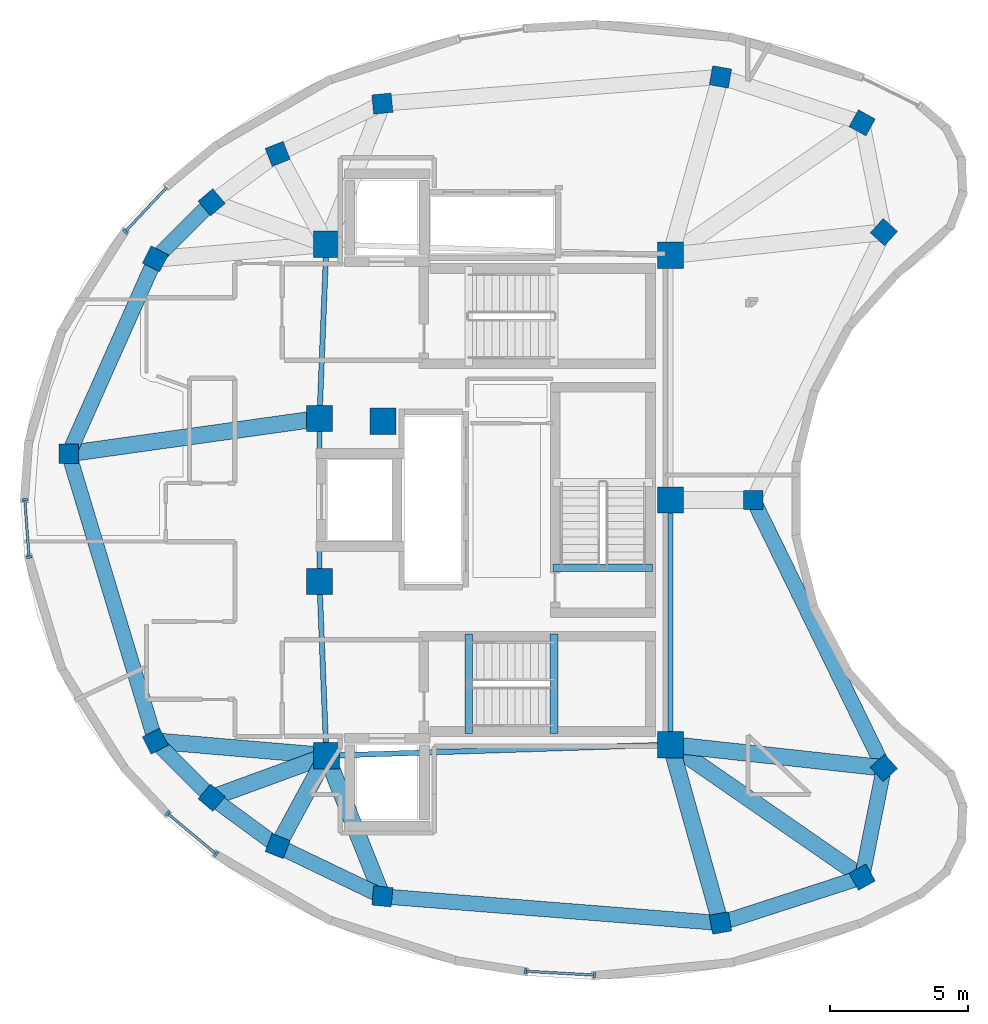
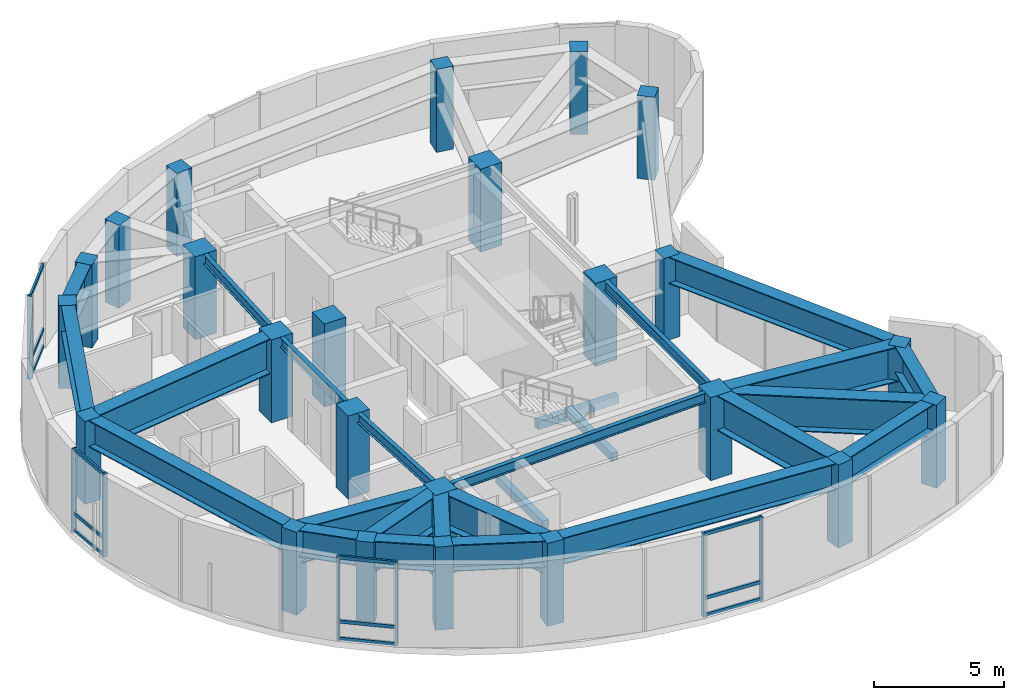
# One storey, part 1 of 6: 26 beams, 24 columns, 19 members, 4 elements without a shape of their own.
"""IFC4 building model written with IfcOpenShell, lengths in metres."""

from ifc_helpers import new_model, si_unit, direction, frame, origin, origin_2d, place, context, subcontext, project, spatial, rectangle, i_section, extrude, material, layer, layer_set, material_profile, profile_set, type_object, element, aggregate, save


model = new_model("IFC4")

# Units and contexts
model_context = context("Model", 3, precision=1e-05, world=origin(), true_north=direction((0.0, 1.0)))
body_context = subcontext(model_context, "Body", "Model", "MODEL_VIEW")
ifc_project = project(units=[si_unit("LENGTHUNIT", "METRE"), si_unit("AREAUNIT", "SQUARE_METRE"), si_unit("VOLUMEUNIT", "CUBIC_METRE"), si_unit("PLANEANGLEUNIT", "RADIAN"), si_unit("MASSUNIT", "GRAM", prefix="KILO")], contexts=[model_context])

# Site, building, storey
site_placement = place(None, origin())
site = spatial("IfcSite", under=ifc_project, at=site_placement, CompositionType="ELEMENT")
building_placement = place(site_placement, origin())
building = spatial("IfcBuilding", under=site, at=building_placement, Name="Korentha Bioscience Tower", CompositionType="ELEMENT")
storey_placement = place(building_placement, frame((0.0, 0.0, 327.0)))
storey = spatial("IfcBuildingStorey", under=building, at=storey_placement, Name="L75", CompositionType="ELEMENT", Elevation=327.0)

# Columns
ifc_material_1 = material(Name="Concrete C65", Category="concrete")
ifc_material_profile_1 = material_profile(ifc_material_1, rectangle(XDim=0.949951171875, YDim=0.949951171875, at=origin_2d()), Name="Concrete C65")
ifc_profile_set_1 = profile_set([ifc_material_profile_1], Name="Concrete C65 (COL-CP09)")
column_type_1 = type_object("IfcColumnType", Name="Core Pilaster Column RC 950x950", PredefinedType="PILASTER", material=ifc_profile_set_1)
for number, where, z_axis, x_axis, name in (
    (1, (37.550048828125, 35.85009765625, -0.00048828125), (0.0, 0.0, 1.0), (1.0, 0.0, 0.0), "L75 Core Pilaster CP-01"),
    (2, (25.10009765625, 36.25, -0.00048828125), (0.0, 0.0, 1.0), (1.0, 0.0, 0.0), "L75 Core Pilaster CP-02"),
    (3, (24.85009765625, 29.949951171875, -0.00048828125), (0.0, 0.0, 1.0), (1.0, 0.0, 0.0), "L75 Core Pilaster CP-03"),
    (4, (27.14990234375, 29.85009765625, -0.00048828125), (0.0, 0.0, 1.0), (1.0, 0.0, 0.0), "L75 Core Pilaster CP-04"),
    (5, (24.85009765625, 24.050048828125, -0.00048828125), (0.0, 0.0, 1.0), (1.0, 0.0, 0.0), "L75 Core Pilaster CP-05"),
    (6, (25.10009765625, 17.75, -0.00048828125), (0.0, 0.0, 1.0), (1.0, 0.0, 0.0), "L75 Core Pilaster CP-06"),
    (7, (37.550048828125, 18.14990234375, -0.00048828125), (0.0, 0.0, 1.0), (1.0, 0.0, 0.0), "L75 Core Pilaster CP-07"),
    (8, (37.550048828125, 27.0, -0.00048828125), (0.0, 0.0, 1.0), (1.0, 0.0, 0.0), "L75 Core Pilaster CP-08"),
):
    element("IfcColumn", number, at=place(storey_placement, frame(where, z_axis=z_axis, x_axis=x_axis)), inside=storey, type_object=column_type_1, Name=name, PredefinedType="PILASTER", context=body_context, shape_type="SweptSolid", body=[
        extrude(rectangle(XDim=0.949951171875, YDim=0.949951171875, at=origin_2d()), origin(), (0.0, 0.0, 1.0), 3.90087890625),
    ])
ifc_material_2 = material(Name="Concrete C50", Category="concrete")
ifc_material_profile_2 = material_profile(ifc_material_2, rectangle(XDim=0.699951171875, YDim=0.699951171875, at=origin_2d()), Name="Concrete C50")
ifc_profile_set_2 = profile_set([ifc_material_profile_2], Name="Concrete C50 (COL-P07)")
column_type_2 = type_object("IfcColumnType", Name="Perimeter Column RC 700x700", PredefinedType="COLUMN", material=ifc_profile_set_2)
for number, where, z_axis, x_axis, name in (
    (9, (44.480712890625, 40.642578125, -0.00048828125), (0.0, 0.0, 1.0), (-0.874535078577, 0.484962262797, 0.0), "L75 Perimeter Column 01"),
    (10, (39.355712890625, 42.30322265625, -0.00048828125), (0.0, 0.0, 1.0), (-0.984868307662, 0.173304404339, 0.0), "L75 Perimeter Column 02"),
    (11, (27.125732421875, 41.337646484375, -0.00048828125), (0.0, 0.0, 1.0), (0.995462868748, 0.095150811579, 0.0), "L75 Perimeter Column 03"),
    (12, (23.33740234375, 39.51953125, -0.00048828125), (0.0, 0.0, 1.0), (0.930225540858, 0.366988341962, 0.0), "L75 Perimeter Column 04"),
    (13, (20.94970703125, 37.7685546875, -0.00048828125), (0.0, 0.0, 1.0), (0.764246456939, 0.644924300253, 0.0), "L75 Perimeter Column 05"),
    (14, (18.913818359375, 35.72265625, -0.00048828125), (0.0, 0.0, 1.0), (0.453057191132, 0.891481453292, 0.0), "L75 Perimeter Column 06"),
    (15, (15.779296875, 28.677490234375, -0.00048828125), (0.0, 0.0, 1.0), (0.0, 1.0, 0.0), "L75 Perimeter Column 07"),
    (16, (18.913818359375, 18.27734375, -0.00048828125), (0.0, 0.0, 1.0), (-0.453057191132, 0.891481453292, 0.0), "L75 Perimeter Column 08"),
    (17, (20.94970703125, 16.2314453125, -0.00048828125), (0.0, 0.0, 1.0), (-0.764246456939, 0.644924300253, 0.0), "L75 Perimeter Column 09"),
    (18, (23.33740234375, 14.48046875, -0.00048828125), (0.0, 0.0, 1.0), (-0.930225540858, 0.366988341962, 0.0), "L75 Perimeter Column 10"),
    (19, (27.125732421875, 12.662353515625, -0.00048828125), (0.0, 0.0, 1.0), (-0.995462868748, 0.095150811579, 0.0), "L75 Perimeter Column 11"),
    (20, (39.355712890625, 11.69677734375, -0.00048828125), (0.0, 0.0, 1.0), (0.984868307662, 0.173304404339, 0.0), "L75 Perimeter Column 12"),
    (21, (44.480712890625, 13.357421875, -0.00048828125), (0.0, 0.0, 1.0), (0.874535078577, 0.484962262797, 0.0), "L75 Perimeter Column 13"),
    (22, (45.265625, 17.309326171875, -0.00048828125), (0.0, 0.0, 1.0), (-0.669130606359, 0.743144825477, 0.0), "L75 Perimeter Column 14"),
    (23, (40.5419921875, 27.0, -0.00048828125), (0.0, 0.0, 1.0), (0.0, 1.0, 0.0), "L75 Perimeter Column 15"),
    (24, (45.265625, 36.690673828125, -0.00048828125), (0.0, 0.0, 1.0), (0.669130606359, 0.743144825477, 0.0), "L75 Perimeter Column 16"),
):
    element("IfcColumn", number, at=place(storey_placement, frame(where, z_axis=z_axis, x_axis=x_axis)), inside=storey, type_object=column_type_2, Name=name, PredefinedType="COLUMN", context=body_context, shape_type="SweptSolid", body=[
        extrude(rectangle(XDim=0.699951171875, YDim=0.699951171875, at=origin_2d()), origin(), (0.0, 0.0, 1.0), 3.90087890625),
    ])

# Beams
ifc_material_profile_3 = material_profile(ifc_material_2, rectangle(XDim=0.280029296875, YDim=0.3798828125, at=origin_2d()), Name="Concrete C50")
ifc_profile_set_3 = profile_set([ifc_material_profile_3], Name="Concrete C50 (ST-HB380)")
beam_type_1 = type_object("IfcBeamType", Name="Concrete Stair Header Beam RC 280x380", PredefinedType="BEAM", material=ifc_profile_set_3)
for number, where, z_axis, x_axis, name in (
    (25, (30.25, 18.550048828125, -0.18994140625), (0.0, 1.0, 0.0), (-1.0, 0.0, 0.0), "L75 ST-2 Concrete Stair Header Beam"),
    (26, (33.330078125, 18.550048828125, 1.909912109375), (0.0, 1.0, 0.0), (-1.0, 0.0, 0.0), "L75 ST-2 Half-Landing Header Beam 1"),
    (27, (36.89990234375, 24.550048828125, -0.18994140625), (-1.0, 0.0, 0.0), (0.0, -1.0, 0.0), "L75 ST-3 Concrete Stair Header Beam"),
):
    element("IfcBeam", number, at=place(storey_placement, frame(where, z_axis=z_axis, x_axis=x_axis)), inside=storey, type_object=beam_type_1, Name=name, PredefinedType="BEAM", context=body_context, shape_type="SweptSolid", body=[
        extrude(rectangle(XDim=0.280029296875, YDim=0.3798828125, at=origin_2d()), origin(), (0.0, 0.0, 1.0), 3.599853515625),
    ])
ifc_material_3 = material(Name="Steel S355", Category="steel")
ifc_material_profile_4 = material_profile(ifc_material_3, i_section(OverallWidth=0.550048828125, OverallDepth=1.25, WebThickness=0.02392578125, FlangeThickness=0.0400390625, at=origin_2d()), Name="Steel S355")
ifc_profile_set_4 = profile_set([ifc_material_profile_4], Name="Steel S355 (TG-03)")
beam_type_2 = type_object("IfcBeamType", Name="Crown Step Transfer Girder CVS 1250x510", PredefinedType="USERDEFINED", material=ifc_profile_set_4)
beam_1_placement = place(storey_placement, frame((20.94970703125, 37.7685546875, 3.27490234375), z_axis=(-0.705370622417, -0.708838687595, 0.0), x_axis=(0.708838687595, -0.705370622417, 0.0)))
element("IfcBeam", 28, at=beam_1_placement, inside=storey, type_object=beam_type_2, Name="L75 Perimeter Spandrel Girder 05", ObjectType="TRANSFER_GIRDER", PredefinedType="USERDEFINED", context=body_context, shape_type="SweptSolid", body=[
    extrude(i_section(OverallWidth=0.550048828125, OverallDepth=1.25, WebThickness=0.02392578125, FlangeThickness=0.0400390625, at=origin_2d()), origin(), (0.0, 0.0, 1.0), 2.88623046875),
])
beam_2_placement = place(storey_placement, frame((18.913818359375, 35.72265625, 3.27490234375), z_axis=(-0.406499765107, -0.913650885715, 0.0), x_axis=(0.913650885715, -0.406499765107, 0.0)))
element("IfcBeam", 29, at=beam_2_placement, inside=storey, type_object=beam_type_2, Name="L75 Perimeter Spandrel Girder 06", ObjectType="TRANSFER_GIRDER", PredefinedType="USERDEFINED", context=body_context, shape_type="SweptSolid", body=[
    extrude(i_section(OverallWidth=0.550048828125, OverallDepth=1.25, WebThickness=0.02392578125, FlangeThickness=0.0400390625, at=origin_2d()), origin(), (0.0, 0.0, 1.0), 7.7109375),
])
beam_3_placement = place(storey_placement, frame((15.779296875, 28.677490234375, 3.27490234375), z_axis=(0.288570432822, -0.957458670284, 0.0), x_axis=(0.957458670284, 0.288570432822, 0.0)))
element("IfcBeam", 30, at=beam_3_placement, inside=storey, type_object=beam_type_2, Name="L75 Perimeter Spandrel Girder 07", ObjectType="TRANSFER_GIRDER", PredefinedType="USERDEFINED", context=body_context, shape_type="SweptSolid", body=[
    extrude(i_section(OverallWidth=0.550048828125, OverallDepth=1.25, WebThickness=0.02392578125, FlangeThickness=0.0400390625, at=origin_2d()), origin(), (0.0, 0.0, 1.0), 10.8623046875),
])
beam_4_placement = place(storey_placement, frame((18.913818359375, 18.27734375, 3.27490234375), z_axis=(0.705370622417, -0.708838687595, 0.0), x_axis=(0.708838687595, 0.705370622417, 0.0)))
element("IfcBeam", 31, at=beam_4_placement, inside=storey, type_object=beam_type_2, Name="L75 Perimeter Spandrel Girder 08", ObjectType="TRANSFER_GIRDER", PredefinedType="USERDEFINED", context=body_context, shape_type="SweptSolid", body=[
    extrude(i_section(OverallWidth=0.550048828125, OverallDepth=1.25, WebThickness=0.02392578125, FlangeThickness=0.0400390625, at=origin_2d()), origin(), (0.0, 0.0, 1.0), 2.88623046875),
])
beam_5_placement = place(storey_placement, frame((20.94970703125, 16.2314453125, 3.27490234375), z_axis=(0.806404995856, -0.591363663628, 0.0), x_axis=(0.591363663628, 0.806404995856, 0.0)))
element("IfcBeam", 32, at=beam_5_placement, inside=storey, type_object=beam_type_2, Name="L75 Perimeter Spandrel Girder 09", ObjectType="TRANSFER_GIRDER", PredefinedType="USERDEFINED", context=body_context, shape_type="SweptSolid", body=[
    extrude(i_section(OverallWidth=0.550048828125, OverallDepth=1.25, WebThickness=0.02392578125, FlangeThickness=0.0400390625, at=origin_2d()), origin(), (0.0, 0.0, 1.0), 2.9609375),
])
beam_6_placement = place(storey_placement, frame((23.33740234375, 14.48046875, 3.27490234375), z_axis=(0.901549348472, -0.432676290396, 0.0), x_axis=(0.432676290396, 0.901549348472, 0.0)))
element("IfcBeam", 33, at=beam_6_placement, inside=storey, type_object=beam_type_2, Name="L75 Perimeter Spandrel Girder 10", ObjectType="TRANSFER_GIRDER", PredefinedType="USERDEFINED", context=body_context, shape_type="SweptSolid", body=[
    extrude(i_section(OverallWidth=0.550048828125, OverallDepth=1.25, WebThickness=0.02392578125, FlangeThickness=0.0400390625, at=origin_2d()), origin(), (0.0, 0.0, 1.0), 4.201904296875),
])
beam_7_placement = place(storey_placement, frame((27.125732421875, 12.662353515625, 3.27490234375), z_axis=(0.996897819937, -0.078706649057, 0.0), x_axis=(0.078706649057, 0.996897819937, 0.0)))
element("IfcBeam", 34, at=beam_7_placement, inside=storey, type_object=beam_type_2, Name="L75 Perimeter Spandrel Girder 11", ObjectType="TRANSFER_GIRDER", PredefinedType="USERDEFINED", context=body_context, shape_type="SweptSolid", body=[
    extrude(i_section(OverallWidth=0.550048828125, OverallDepth=1.25, WebThickness=0.02392578125, FlangeThickness=0.0400390625, at=origin_2d()), origin(), (0.0, 0.0, 1.0), 12.26806640625),
])
beam_8_placement = place(storey_placement, frame((39.355712890625, 11.69677734375, 3.27490234375), z_axis=(0.951305452587, 0.308249794612, 0.0), x_axis=(-0.308249794612, 0.951305452587, 0.0)))
element("IfcBeam", 35, at=beam_8_placement, inside=storey, type_object=beam_type_2, Name="L75 Perimeter Spandrel Girder 12", ObjectType="TRANSFER_GIRDER", PredefinedType="USERDEFINED", context=body_context, shape_type="SweptSolid", body=[
    extrude(i_section(OverallWidth=0.550048828125, OverallDepth=1.25, WebThickness=0.02392578125, FlangeThickness=0.0400390625, at=origin_2d()), origin(), (0.0, 0.0, 1.0), 5.387451171875),
])
beam_9_placement = place(storey_placement, frame((44.480712890625, 13.357421875, 3.27490234375), z_axis=(0.194810852243, 0.980840829008, 0.0), x_axis=(-0.980840829008, 0.194810852243, 0.0)))
element("IfcBeam", 36, at=beam_9_placement, inside=storey, type_object=beam_type_2, Name="L75 Perimeter Spandrel Girder 13", ObjectType="TRANSFER_GIRDER", PredefinedType="USERDEFINED", context=body_context, shape_type="SweptSolid", body=[
    extrude(i_section(OverallWidth=0.550048828125, OverallDepth=1.25, WebThickness=0.02392578125, FlangeThickness=0.0400390625, at=origin_2d()), origin(), (0.0, 0.0, 1.0), 4.029052734375),
])
beam_10_placement = place(storey_placement, frame((45.265625, 17.309326171875, 3.27490234375), z_axis=(-0.438159475862, 0.898897254258, 0.0), x_axis=(-0.898897254258, -0.438159475862, 0.0)))
element("IfcBeam", 37, at=beam_10_placement, inside=storey, type_object=beam_type_2, Name="L75 Perimeter Spandrel Girder 14", ObjectType="TRANSFER_GIRDER", PredefinedType="USERDEFINED", context=body_context, shape_type="SweptSolid", body=[
    extrude(i_section(OverallWidth=0.550048828125, OverallDepth=1.25, WebThickness=0.02392578125, FlangeThickness=0.0400390625, at=origin_2d()), origin(), (0.0, 0.0, 1.0), 10.780517578125),
])
ifc_material_profile_5 = material_profile(ifc_material_3, i_section(OverallWidth=0.60009765625, OverallDepth=1.64990234375, WebThickness=0.02587890625, FlangeThickness=0.0439453125, at=origin_2d()), Name="Steel S355")
ifc_profile_set_5 = profile_set([ifc_material_profile_5], Name="Steel S355 (TG-04)")
beam_type_3 = type_object("IfcBeamType", Name="Deep Setback Transfer Girder CVS 1650x620", PredefinedType="USERDEFINED", material=ifc_profile_set_5)
beam_11_placement = place(storey_placement, frame((24.85009765625, 29.949951171875, 3.074951171875), z_axis=(-0.990303500441, -0.138920758042, 0.0), x_axis=(0.138920758042, -0.990303500441, 0.0)))
element("IfcBeam", 38, at=beam_11_placement, inside=storey, type_object=beam_type_3, Name="L75 Radial Transfer Girder 07", ObjectType="TRANSFER_GIRDER", PredefinedType="USERDEFINED", context=body_context, shape_type="SweptSolid", body=[
    extrude(i_section(OverallWidth=0.60009765625, OverallDepth=1.64990234375, WebThickness=0.02587890625, FlangeThickness=0.0439453125, at=origin_2d()), origin(), (0.0, 0.0, 1.0), 9.15966796875),
])
beam_12_placement = place(storey_placement, frame((25.10009765625, 17.75, 3.074951171875), z_axis=(-0.996386404459, 0.084936052474, 0.0), x_axis=(-0.084936052474, -0.996386404459, 0.0)))
element("IfcBeam", 39, at=beam_12_placement, inside=storey, type_object=beam_type_3, Name="L75 Radial Transfer Girder 08", ObjectType="TRANSFER_GIRDER", PredefinedType="USERDEFINED", context=body_context, shape_type="SweptSolid", body=[
    extrude(i_section(OverallWidth=0.60009765625, OverallDepth=1.64990234375, WebThickness=0.02587890625, FlangeThickness=0.0439453125, at=origin_2d()), origin(), (0.0, 0.0, 1.0), 6.208740234375),
])
beam_13_placement = place(storey_placement, frame((25.10009765625, 17.75, 3.074951171875), z_axis=(-0.939114156855, -0.34360529739, 0.0), x_axis=(0.34360529739, -0.939114156855, 0.0)))
element("IfcBeam", 40, at=beam_13_placement, inside=storey, type_object=beam_type_3, Name="L75 Radial Transfer Girder 09", ObjectType="TRANSFER_GIRDER", PredefinedType="USERDEFINED", context=body_context, shape_type="SweptSolid", body=[
    extrude(i_section(OverallWidth=0.60009765625, OverallDepth=1.64990234375, WebThickness=0.02587890625, FlangeThickness=0.0439453125, at=origin_2d()), origin(), (0.0, 0.0, 1.0), 4.41943359375),
])
beam_14_placement = place(storey_placement, frame((25.10009765625, 17.75, 3.074951171875), z_axis=(-0.474554427081, -0.880226161698, 0.0), x_axis=(0.880226161698, -0.474554427081, 0.0)))
element("IfcBeam", 41, at=beam_14_placement, inside=storey, type_object=beam_type_3, Name="L75 Radial Transfer Girder 10", ObjectType="TRANSFER_GIRDER", PredefinedType="USERDEFINED", context=body_context, shape_type="SweptSolid", body=[
    extrude(i_section(OverallWidth=0.60009765625, OverallDepth=1.64990234375, WebThickness=0.02587890625, FlangeThickness=0.0439453125, at=origin_2d()), origin(), (0.0, 0.0, 1.0), 3.71435546875),
])
beam_15_placement = place(storey_placement, frame((25.10009765625, 17.75, 3.074951171875), z_axis=(0.369906658461, -0.929068923184, 0.0), x_axis=(0.929068923184, 0.369906658461, 0.0)))
element("IfcBeam", 42, at=beam_15_placement, inside=storey, type_object=beam_type_3, Name="L75 Radial Transfer Girder 11", ObjectType="TRANSFER_GIRDER", PredefinedType="USERDEFINED", context=body_context, shape_type="SweptSolid", body=[
    extrude(i_section(OverallWidth=0.60009765625, OverallDepth=1.64990234375, WebThickness=0.02587890625, FlangeThickness=0.0439453125, at=origin_2d()), origin(), (0.0, 0.0, 1.0), 5.47607421875),
])
beam_16_placement = place(storey_placement, frame((37.550048828125, 18.14990234375, 3.074951171875), z_axis=(0.269462348846, -0.96301092546, 0.0), x_axis=(0.96301092546, 0.269462348846, 0.0)))
element("IfcBeam", 43, at=beam_16_placement, inside=storey, type_object=beam_type_3, Name="L75 Radial Transfer Girder 12", ObjectType="TRANSFER_GIRDER", PredefinedType="USERDEFINED", context=body_context, shape_type="SweptSolid", body=[
    extrude(i_section(OverallWidth=0.60009765625, OverallDepth=1.64990234375, WebThickness=0.02587890625, FlangeThickness=0.0439453125, at=origin_2d()), origin(), (0.0, 0.0, 1.0), 6.700927734375),
])
beam_17_placement = place(storey_placement, frame((37.550048828125, 18.14990234375, 3.074951171875), z_axis=(0.82250706845, -0.568754887758, 0.0), x_axis=(0.568754887758, 0.82250706845, 0.0)))
element("IfcBeam", 44, at=beam_17_placement, inside=storey, type_object=beam_type_3, Name="L75 Radial Transfer Girder 13", ObjectType="TRANSFER_GIRDER", PredefinedType="USERDEFINED", context=body_context, shape_type="SweptSolid", body=[
    extrude(i_section(OverallWidth=0.60009765625, OverallDepth=1.64990234375, WebThickness=0.02587890625, FlangeThickness=0.0439453125, at=origin_2d()), origin(), (0.0, 0.0, 1.0), 8.42626953125),
])
beam_18_placement = place(storey_placement, frame((37.550048828125, 18.14990234375, 3.074951171875), z_axis=(0.994117766085, -0.108304511237, 0.0), x_axis=(0.108304511237, 0.994117766085, 0.0)))
element("IfcBeam", 45, at=beam_18_placement, inside=storey, type_object=beam_type_3, Name="L75 Radial Transfer Girder 14", ObjectType="TRANSFER_GIRDER", PredefinedType="USERDEFINED", context=body_context, shape_type="SweptSolid", body=[
    extrude(i_section(OverallWidth=0.60009765625, OverallDepth=1.64990234375, WebThickness=0.02587890625, FlangeThickness=0.0439453125, at=origin_2d()), origin(), (0.0, 0.0, 1.0), 7.76123046875),
])
ifc_material_profile_6 = material_profile(ifc_material_3, i_section(OverallWidth=0.18994140625, OverallDepth=0.45703125, WebThickness=0.009033203125, FlangeThickness=0.014404296875, at=origin_2d()), Name="Steel S355")
ifc_profile_set_6 = profile_set([ifc_material_profile_6], Name="Steel S355 (MB-460)")
beam_type_4 = type_object("IfcBeamType", Name="Mid-Ring Tie Girder W460x74", PredefinedType="BEAM", material=ifc_profile_set_6)
beam_19_placement = place(storey_placement, frame((25.10009765625, 36.25, 3.67138671875), z_axis=(-0.039651025576, -0.999213588864, 0.0), x_axis=(0.999213588864, -0.039651025576, 0.0)))
element("IfcBeam", 46, at=beam_19_placement, inside=storey, type_object=beam_type_4, Name="L75 Core Ring Tie Girder 02", PredefinedType="BEAM", context=body_context, shape_type="SweptSolid", body=[
    extrude(i_section(OverallWidth=0.18994140625, OverallDepth=0.45703125, WebThickness=0.009033203125, FlangeThickness=0.014404296875, at=origin_2d()), origin(), (0.0, 0.0, 1.0), 6.304931640625),
])
beam_20_placement = place(storey_placement, frame((24.85009765625, 29.949951171875, 3.67138671875), z_axis=(0.0, -1.0, 0.0), x_axis=(1.0, 0.0, 0.0)))
element("IfcBeam", 47, at=beam_20_placement, inside=storey, type_object=beam_type_4, Name="L75 Core Ring Tie Girder 03", PredefinedType="BEAM", context=body_context, shape_type="SweptSolid", body=[
    extrude(i_section(OverallWidth=0.18994140625, OverallDepth=0.45703125, WebThickness=0.009033203125, FlangeThickness=0.014404296875, at=origin_2d()), origin(), (0.0, 0.0, 1.0), 5.89990234375),
])
beam_21_placement = place(storey_placement, frame((24.85009765625, 24.050048828125, 3.67138671875), z_axis=(0.039651025576, -0.999213588864, 0.0), x_axis=(0.999213588864, 0.039651025576, 0.0)))
element("IfcBeam", 48, at=beam_21_placement, inside=storey, type_object=beam_type_4, Name="L75 Core Ring Tie Girder 04", PredefinedType="BEAM", context=body_context, shape_type="SweptSolid", body=[
    extrude(i_section(OverallWidth=0.18994140625, OverallDepth=0.45703125, WebThickness=0.009033203125, FlangeThickness=0.014404296875, at=origin_2d()), origin(), (0.0, 0.0, 1.0), 6.304931640625),
])
beam_22_placement = place(storey_placement, frame((25.10009765625, 17.75, 3.67138671875), z_axis=(0.999484526071, 0.032104238723, 0.0), x_axis=(-0.032104238723, 0.999484526071, 0.0)))
element("IfcBeam", 49, at=beam_22_placement, inside=storey, type_object=beam_type_4, Name="L75 Core Ring Tie Girder 05", PredefinedType="BEAM", context=body_context, shape_type="SweptSolid", body=[
    extrude(i_section(OverallWidth=0.18994140625, OverallDepth=0.45703125, WebThickness=0.009033203125, FlangeThickness=0.014404296875, at=origin_2d()), origin(), (0.0, 0.0, 1.0), 12.456298828125),
])
beam_23_placement = place(storey_placement, frame((37.550048828125, 18.14990234375, 3.67138671875), z_axis=(0.0, 1.0, 0.0), x_axis=(-1.0, 0.0, 0.0)))
element("IfcBeam", 50, at=beam_23_placement, inside=storey, type_object=beam_type_4, Name="L75 Core Ring Tie Girder 06", PredefinedType="BEAM", context=body_context, shape_type="SweptSolid", body=[
    extrude(i_section(OverallWidth=0.18994140625, OverallDepth=0.45703125, WebThickness=0.009033203125, FlangeThickness=0.014404296875, at=origin_2d()), origin(), (0.0, 0.0, 1.0), 8.85009765625),
])

# Curtain wall, member
ifc_material_4 = material(Name="Structural Silicone Glazed Aluminium", Category="aluminium")
ifc_layer = layer(ifc_material_4, 0.219970703125, Name="Structural Silicone Glazed Aluminium")
ifc_layer_set = layer_set([ifc_layer], Name="Structural Silicone Glazed Aluminium (CW-O1)")
curtain_wall_type = type_object("IfcCurtainWallType", Name="Sky Observatory Acoustic Curtain Wall CW-O1", PredefinedType="USERDEFINED", material=ifc_layer_set)
curtain_wall_1_placement = place(storey_placement, origin())
curtain_wall_1 = element("IfcCurtainWall", 51, at=curtain_wall_1_placement, inside=storey, type_object=curtain_wall_type, Name="L75 Curtain Wall 13", ObjectType="UNITISED", PredefinedType="USERDEFINED")
ifc_material_5 = material(Name="Anodised Aluminium 6063-T6", Category="aluminium")
ifc_material_profile_7 = material_profile(ifc_material_5, rectangle(XDim=0.090087890625, YDim=0.199951171875, at=origin_2d()), Name="Anodised Aluminium 6063-T6")
ifc_profile_set_7 = profile_set([ifc_material_profile_7], Name="Anodised Aluminium 6063-T6 (CW-MUL)")
member_type_1 = type_object("IfcMemberType", Name="Mullion RECT 90x200", PredefinedType="MULLION", material=ifc_profile_set_7)
member_1_placement = place(storey_placement, frame((17.822021484375, 36.705078125, 0.0), z_axis=(0.0, 0.0, 1.0), x_axis=(-0.684388080906, -0.729117929223, 0.0)))
member_1 = element("IfcMember", 52, at=member_1_placement, type_object=member_type_1, Name="CW-L75-13 Mullion 2", PredefinedType="MULLION", context=body_context, shape_type="SweptSolid", body=[
    extrude(rectangle(XDim=0.090087890625, YDim=0.199951171875, at=origin_2d()), origin(), (0.0, 0.0, 1.0), 3.89990234375),
])

# Curtain wall, members
curtain_wall_2_placement = place(storey_placement, origin())
curtain_wall_2 = element("IfcCurtainWall", 53, at=curtain_wall_2_placement, inside=storey, type_object=curtain_wall_type, Name="L75 Curtain Wall 19", ObjectType="UNITISED", PredefinedType="USERDEFINED")
member_2_placement = place(storey_placement, frame((14.193115234375, 27.006591796875, 0.0), z_axis=(0.0, 0.0, 1.0), x_axis=(0.072434664299, -0.997373159559, 0.0)))
member_2 = element("IfcMember", 54, at=member_2_placement, type_object=member_type_1, Name="CW-L75-19 Mullion 1", PredefinedType="MULLION", context=body_context, shape_type="SweptSolid", body=[
    extrude(rectangle(XDim=0.090087890625, YDim=0.199951171875, at=origin_2d()), origin(), (0.0, 0.0, 1.0), 3.89990234375),
])
member_3_placement = place(storey_placement, frame((14.343505859375, 24.93603515625, 0.0), z_axis=(0.0, 0.0, 1.0), x_axis=(0.072434664299, -0.997373159559, 0.0)))
member_3 = element("IfcMember", 55, at=member_3_placement, type_object=member_type_1, Name="CW-L75-19 Mullion 2", PredefinedType="MULLION", context=body_context, shape_type="SweptSolid", body=[
    extrude(rectangle(XDim=0.090087890625, YDim=0.199951171875, at=origin_2d()), origin(), (0.0, 0.0, 1.0), 3.89990234375),
])

curtain_wall_3_placement = place(storey_placement, origin())
curtain_wall_3 = element("IfcCurtainWall", 56, at=curtain_wall_3_placement, inside=storey, type_object=curtain_wall_type, Name="L75 Curtain Wall 25", ObjectType="UNITISED", PredefinedType="USERDEFINED")
member_4_placement = place(storey_placement, frame((19.352294921875, 15.66357421875, 0.0), z_axis=(0.0, 0.0, 1.0), x_axis=(0.767458607387, -0.641098499411, 0.0)))
member_4 = element("IfcMember", 57, at=member_4_placement, type_object=member_type_1, Name="CW-L75-25 Mullion 1", PredefinedType="MULLION", context=body_context, shape_type="SweptSolid", body=[
    extrude(rectangle(XDim=0.090087890625, YDim=0.199951171875, at=origin_2d()), origin(), (0.0, 0.0, 1.0), 3.89990234375),
])
member_5_placement = place(storey_placement, frame((21.11572265625, 14.1904296875, 0.0), z_axis=(0.0, 0.0, 1.0), x_axis=(0.767458607387, -0.641098499411, 0.0)))
member_5 = element("IfcMember", 58, at=member_5_placement, type_object=member_type_1, Name="CW-L75-25 Mullion 2", PredefinedType="MULLION", context=body_context, shape_type="SweptSolid", body=[
    extrude(rectangle(XDim=0.090087890625, YDim=0.199951171875, at=origin_2d()), origin(), (0.0, 0.0, 1.0), 3.89990234375),
])

curtain_wall_4_placement = place(storey_placement, origin())
curtain_wall_4 = element("IfcCurtainWall", 59, at=curtain_wall_4_placement, inside=storey, type_object=curtain_wall_type, Name="L75 Curtain Wall 31", ObjectType="UNITISED", PredefinedType="USERDEFINED")
member_6_placement = place(storey_placement, frame((32.30078125, 9.955322265625, 0.0), z_axis=(0.0, 0.0, 1.0), x_axis=(0.998412873247, -0.056318154571, 0.0)))
member_6 = element("IfcMember", 60, at=member_6_placement, type_object=member_type_1, Name="CW-L75-31 Mullion 1", PredefinedType="MULLION", context=body_context, shape_type="SweptSolid", body=[
    extrude(rectangle(XDim=0.090087890625, YDim=0.199951171875, at=origin_2d()), origin(), (0.0, 0.0, 1.0), 3.89990234375),
])
member_7_placement = place(storey_placement, frame((34.79931640625, 9.814453125, 0.0), z_axis=(0.0, 0.0, 1.0), x_axis=(0.998412873247, -0.056318154571, 0.0)))
member_7 = element("IfcMember", 61, at=member_7_placement, type_object=member_type_1, Name="CW-L75-31 Mullion 2", PredefinedType="MULLION", context=body_context, shape_type="SweptSolid", body=[
    extrude(rectangle(XDim=0.090087890625, YDim=0.199951171875, at=origin_2d()), origin(), (0.0, 0.0, 1.0), 3.89990234375),
])

# Member
ifc_material_profile_8 = material_profile(ifc_material_5, rectangle(XDim=0.090087890625, YDim=0.159912109375, at=origin_2d()), Name="Anodised Aluminium 6063-T6")
ifc_profile_set_8 = profile_set([ifc_material_profile_8], Name="Anodised Aluminium 6063-T6 (CW-TRN)")
member_type_2 = type_object("IfcMemberType", Name="Transom RECT 90x160", PredefinedType="USERDEFINED", material=ifc_profile_set_8)
member_8_placement = place(storey_placement, frame((19.328369140625, 38.31005859375, 0.044921875), z_axis=(-0.684332728071, -0.729169882326, 0.0), x_axis=(0.729169882326, -0.684332728071, 0.0)))
member_8 = element("IfcMember", 62, at=member_8_placement, type_object=member_type_2, Name="CW-L75-13 Bay 1 Transom 1", ObjectType="TRANSOM", PredefinedType="USERDEFINED", context=body_context, shape_type="SweptSolid", body=[
    extrude(rectangle(XDim=0.090087890625, YDim=0.159912109375, at=origin_2d()), origin(), (0.0, 0.0, 1.0), 2.15625),
])

member_9_placement = place(storey_placement, frame((19.328369140625, 38.31005859375, 0.85009765625), z_axis=(-0.684332728071, -0.729169882326, 0.0), x_axis=(0.729169882326, -0.684332728071, 0.0)))
member_9 = element("IfcMember", 63, at=member_9_placement, type_object=member_type_2, Name="CW-L75-13 Bay 1 Transom 2", ObjectType="TRANSOM", PredefinedType="USERDEFINED", context=body_context, shape_type="SweptSolid", body=[
    extrude(rectangle(XDim=0.090087890625, YDim=0.159912109375, at=origin_2d()), origin(), (0.0, 0.0, 1.0), 2.15625),
])

member_10_placement = place(storey_placement, frame((19.328369140625, 38.31005859375, 3.85498046875), z_axis=(-0.684332728071, -0.729169882326, 0.0), x_axis=(0.729169882326, -0.684332728071, 0.0)))
member_10 = element("IfcMember", 64, at=member_10_placement, type_object=member_type_2, Name="CW-L75-13 Bay 1 Transom 3", ObjectType="TRANSOM", PredefinedType="USERDEFINED", context=body_context, shape_type="SweptSolid", body=[
    extrude(rectangle(XDim=0.090087890625, YDim=0.159912109375, at=origin_2d()), origin(), (0.0, 0.0, 1.0), 2.15625),
])

aggregate(curtain_wall_1, [member_1, member_8, member_9, member_10])

member_11_placement = place(storey_placement, frame((14.1962890625, 26.961669921875, 0.044921875), z_axis=(0.07253124896, -0.997366140354, 0.0), x_axis=(0.997366140354, 0.07253124896, 0.0)))
member_11 = element("IfcMember", 65, at=member_11_placement, type_object=member_type_2, Name="CW-L75-19 Bay 1 Transom 1", ObjectType="TRANSOM", PredefinedType="USERDEFINED", context=body_context, shape_type="SweptSolid", body=[
    extrude(rectangle(XDim=0.090087890625, YDim=0.159912109375, at=origin_2d()), origin(), (0.0, 0.0, 1.0), 1.98583984375),
])

member_12_placement = place(storey_placement, frame((14.1962890625, 26.961669921875, 0.85009765625), z_axis=(0.07253124896, -0.997366140354, 0.0), x_axis=(0.997366140354, 0.07253124896, 0.0)))
member_12 = element("IfcMember", 66, at=member_12_placement, type_object=member_type_2, Name="CW-L75-19 Bay 1 Transom 2", ObjectType="TRANSOM", PredefinedType="USERDEFINED", context=body_context, shape_type="SweptSolid", body=[
    extrude(rectangle(XDim=0.090087890625, YDim=0.159912109375, at=origin_2d()), origin(), (0.0, 0.0, 1.0), 1.98583984375),
])

member_13_placement = place(storey_placement, frame((14.1962890625, 26.961669921875, 3.85498046875), z_axis=(0.07253124896, -0.997366140354, 0.0), x_axis=(0.997366140354, 0.07253124896, 0.0)))
member_13 = element("IfcMember", 67, at=member_13_placement, type_object=member_type_2, Name="CW-L75-19 Bay 1 Transom 3", ObjectType="TRANSOM", PredefinedType="USERDEFINED", context=body_context, shape_type="SweptSolid", body=[
    extrude(rectangle(XDim=0.090087890625, YDim=0.159912109375, at=origin_2d()), origin(), (0.0, 0.0, 1.0), 1.98583984375),
])

aggregate(curtain_wall_2, [member_2, member_3, member_11, member_12, member_13])

member_14_placement = place(storey_placement, frame((19.386962890625, 15.634765625, 0.044921875), z_axis=(0.767432013681, -0.641130333378, 0.0), x_axis=(0.641130333378, 0.767432013681, 0.0)))
member_14 = element("IfcMember", 68, at=member_14_placement, type_object=member_type_2, Name="CW-L75-25 Bay 1 Transom 1", ObjectType="TRANSOM", PredefinedType="USERDEFINED", context=body_context, shape_type="SweptSolid", body=[
    extrude(rectangle(XDim=0.090087890625, YDim=0.159912109375, at=origin_2d()), origin(), (0.0, 0.0, 1.0), 2.20751953125),
])

member_15_placement = place(storey_placement, frame((19.386962890625, 15.634765625, 0.85009765625), z_axis=(0.767432013681, -0.641130333378, 0.0), x_axis=(0.641130333378, 0.767432013681, 0.0)))
member_15 = element("IfcMember", 69, at=member_15_placement, type_object=member_type_2, Name="CW-L75-25 Bay 1 Transom 2", ObjectType="TRANSOM", PredefinedType="USERDEFINED", context=body_context, shape_type="SweptSolid", body=[
    extrude(rectangle(XDim=0.090087890625, YDim=0.159912109375, at=origin_2d()), origin(), (0.0, 0.0, 1.0), 2.20751953125),
])

member_16_placement = place(storey_placement, frame((19.386962890625, 15.634765625, 3.85498046875), z_axis=(0.767432013681, -0.641130333378, 0.0), x_axis=(0.641130333378, 0.767432013681, 0.0)))
member_16 = element("IfcMember", 70, at=member_16_placement, type_object=member_type_2, Name="CW-L75-25 Bay 1 Transom 3", ObjectType="TRANSOM", PredefinedType="USERDEFINED", context=body_context, shape_type="SweptSolid", body=[
    extrude(rectangle(XDim=0.090087890625, YDim=0.159912109375, at=origin_2d()), origin(), (0.0, 0.0, 1.0), 2.20751953125),
])

aggregate(curtain_wall_3, [member_4, member_5, member_14, member_15, member_16])

member_17_placement = place(storey_placement, frame((32.345703125, 9.952880859375, 0.044921875), z_axis=(0.998410130407, -0.056366758832, 0.0), x_axis=(0.056366758832, 0.998410130407, 0.0)))
member_17 = element("IfcMember", 71, at=member_17_placement, type_object=member_type_2, Name="CW-L75-31 Bay 1 Transom 1", ObjectType="TRANSOM", PredefinedType="USERDEFINED", context=body_context, shape_type="SweptSolid", body=[
    extrude(rectangle(XDim=0.090087890625, YDim=0.159912109375, at=origin_2d()), origin(), (0.0, 0.0, 1.0), 2.41259765625),
])

member_18_placement = place(storey_placement, frame((32.345703125, 9.952880859375, 0.85009765625), z_axis=(0.998410130407, -0.056366758832, 0.0), x_axis=(0.056366758832, 0.998410130407, 0.0)))
member_18 = element("IfcMember", 72, at=member_18_placement, type_object=member_type_2, Name="CW-L75-31 Bay 1 Transom 2", ObjectType="TRANSOM", PredefinedType="USERDEFINED", context=body_context, shape_type="SweptSolid", body=[
    extrude(rectangle(XDim=0.090087890625, YDim=0.159912109375, at=origin_2d()), origin(), (0.0, 0.0, 1.0), 2.41259765625),
])

member_19_placement = place(storey_placement, frame((32.345703125, 9.952880859375, 3.85498046875), z_axis=(0.998410130407, -0.056366758832, 0.0), x_axis=(0.056366758832, 0.998410130407, 0.0)))
member_19 = element("IfcMember", 73, at=member_19_placement, type_object=member_type_2, Name="CW-L75-31 Bay 1 Transom 3", ObjectType="TRANSOM", PredefinedType="USERDEFINED", context=body_context, shape_type="SweptSolid", body=[
    extrude(rectangle(XDim=0.090087890625, YDim=0.159912109375, at=origin_2d()), origin(), (0.0, 0.0, 1.0), 2.41259765625),
])

aggregate(curtain_wall_4, [member_6, member_7, member_17, member_18, member_19])

save(model, "model.ifc")
